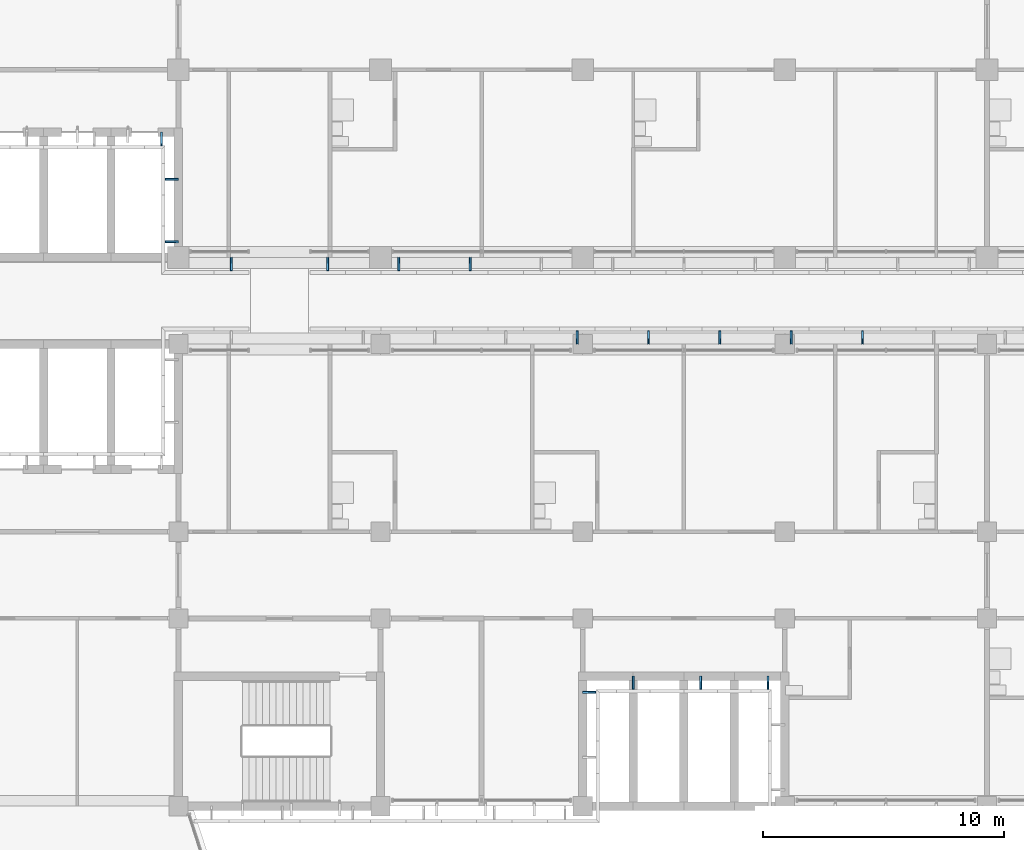
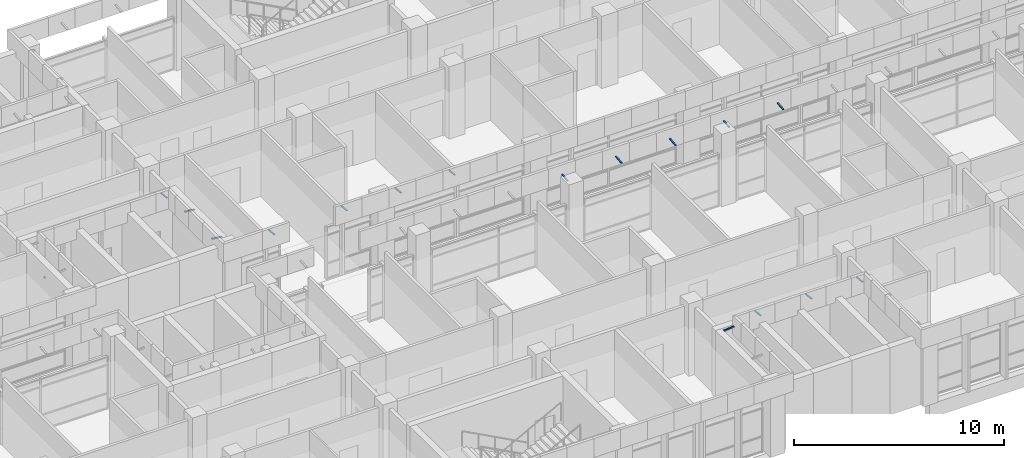
# One storey, part 101 of 137: 16 discrete accessories.
"""IFC4 building model written with IfcOpenShell, lengths in metres."""

from ifc_helpers import new_model, si_unit, direction, frame, origin, origin_2d, place, context, subcontext, project, spatial, rectangle, extrude, material, material_profile, profile_set, type_object, element, save


model = new_model("IFC4")

# Units and contexts
model_context = context("Model", 3, precision=1e-05, world=origin(), true_north=direction((0.0, 1.0)))
body_context = subcontext(model_context, "Body", "Model", "MODEL_VIEW")
ifc_project = project(units=[si_unit("LENGTHUNIT", "METRE"), si_unit("AREAUNIT", "SQUARE_METRE"), si_unit("VOLUMEUNIT", "CUBIC_METRE"), si_unit("PLANEANGLEUNIT", "RADIAN"), si_unit("MASSUNIT", "GRAM", prefix="KILO")], contexts=[model_context])

# Site, building, storey
site_placement = place(None, origin())
site = spatial("IfcSite", under=ifc_project, at=site_placement, CompositionType="ELEMENT")
building_placement = place(site_placement, origin())
building = spatial("IfcBuilding", under=site, at=building_placement, Name="Bougainvillea Quay General Hospital", CompositionType="ELEMENT")
storey_placement = place(building_placement, frame((0.0, 0.0, 16.800048828125)))
storey = spatial("IfcBuildingStorey", under=building, at=storey_placement, Name="L03", CompositionType="ELEMENT", Elevation=16.800048828125)

# Discrete accessories
ifc_material = material(Name="Stainless steel bracket, grade 316", Category="steel")
ifc_material_profile = material_profile(ifc_material, rectangle(XDim=0.080078125, YDim=0.050048828125, at=origin_2d()))
ifc_profile_set = profile_set([ifc_material_profile], Name="Stainless steel bracket, grade 316")
discrete_accessory_type = type_object("IfcDiscreteAccessoryType", Name="Stainless steel stand-off bracket 80x50", PredefinedType="BRACKET", material=ifc_profile_set)
for number, where, z_axis, x_axis, name in (
    (1, (74.89990234375, 145.60009765625, 4.139892578125), (0.0, -0.994091793559, 0.108542645901), (1.0, 0.0, 0.0), "Fascia bracket e0 205"),
    (2, (75.60009765625, 143.64990234375, 4.139892578125), (-0.994091793559, 0.0, 0.108542645901), (0.0, -1.0, 0.0), "Fascia bracket e0 207"),
    (3, (75.60009765625, 141.050048828125, 4.139892578125), (-0.994091793559, 0.0, 0.108542645901), (0.0, -1.0, 0.0), "Fascia bracket e0 209"),
):
    element("IfcDiscreteAccessory", number, at=place(storey_placement, frame(where, z_axis=z_axis, x_axis=x_axis)), inside=storey, type_object=discrete_accessory_type, Name=name, PredefinedType="BRACKET", context=body_context, shape_type="SweptSolid", body=[
        extrude(rectangle(XDim=0.080078125, YDim=0.050048828125, at=origin_2d()), origin(), (0.0, 0.0, 1.0), 0.55322265625),
    ])
for number, where, z_axis, x_axis, name in (
    (4, (77.804931640625, 140.39990234375, 4.139892578125), (0.0, -0.994086591779, 0.108590276011), (1.0, 0.0, 0.0), "Fascia bracket e0 211"),
    (5, (81.800537109375, 140.39990234375, 4.139892578125), (0.0, -0.994086591779, 0.108590276011), (1.0, 0.0, 0.0), "Fascia bracket e1 1"),
    (6, (84.7626953125, 140.39990234375, 4.139892578125), (0.0, -0.994086591779, 0.108590276011), (1.0, 0.0, 0.0), "Fascia bracket e1 3"),
    (7, (87.724853515625, 140.39990234375, 4.139892578125), (0.0, -0.994086591779, 0.108590276011), (1.0, 0.0, 0.0), "Fascia bracket e1 5"),
):
    element("IfcDiscreteAccessory", number, at=place(storey_placement, frame(where, z_axis=z_axis, x_axis=x_axis)), inside=storey, type_object=discrete_accessory_type, Name=name, PredefinedType="BRACKET", context=body_context, shape_type="SweptSolid", body=[
        extrude(rectangle(XDim=0.080078125, YDim=0.050048828125, at=origin_2d()), origin(), (0.0, 0.0, 1.0), 0.552978515625),
    ])
for number, where, z_axis, x_axis, name in (
    (8, (92.39990234375, 122.324951171875, 4.139892578125), (0.994091793559, 0.0, 0.108542645901), (0.0, 1.0, 0.0), "Fascia bracket e1 15"),
    (9, (94.5, 123.0, 4.139892578125), (0.0, -0.994091793559, 0.108542645901), (1.0, 0.0, 0.0), "Fascia bracket e1 17"),
    (10, (97.300048828125, 123.0, 4.139892578125), (0.0, -0.994091793559, 0.108542645901), (1.0, 0.0, 0.0), "Fascia bracket e1 19"),
    (11, (100.10009765625, 123.0, 4.139892578125), (0.0, -0.994091793559, 0.108542645901), (1.0, 0.0, 0.0), "Fascia bracket e1 21"),
    (12, (104.02587890625, 136.800048828125, 4.139892578125), (0.0, 0.994091793559, 0.108542645901), (-1.0, 0.0, 0.0), "Fascia bracket e1 135"),
    (13, (101.0625, 136.800048828125, 4.139892578125), (0.0, 0.994091793559, 0.108542645901), (-1.0, 0.0, 0.0), "Fascia bracket e1 137"),
    (14, (98.09912109375, 136.800048828125, 4.139892578125), (0.0, 0.994091793559, 0.108542645901), (-1.0, 0.0, 0.0), "Fascia bracket e1 139"),
    (15, (95.1357421875, 136.800048828125, 4.139892578125), (0.0, 0.994091793559, 0.108542645901), (-1.0, 0.0, 0.0), "Fascia bracket e1 141"),
    (16, (92.172607421875, 136.800048828125, 4.139892578125), (0.0, 0.994091793559, 0.108542645901), (-1.0, 0.0, 0.0), "Fascia bracket e1 143"),
):
    element("IfcDiscreteAccessory", number, at=place(storey_placement, frame(where, z_axis=z_axis, x_axis=x_axis)), inside=storey, type_object=discrete_accessory_type, Name=name, PredefinedType="BRACKET", context=body_context, shape_type="SweptSolid", body=[
        extrude(rectangle(XDim=0.080078125, YDim=0.050048828125, at=origin_2d()), origin(), (0.0, 0.0, 1.0), 0.55322265625),
    ])

save(model, "model.ifc")
